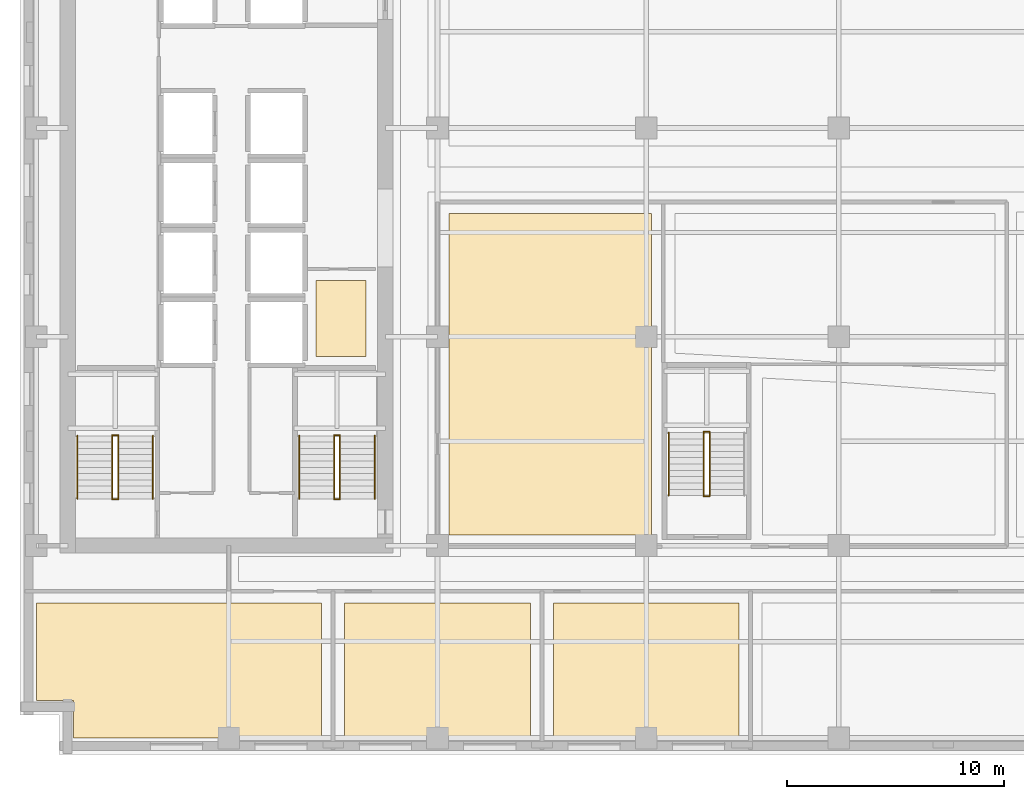
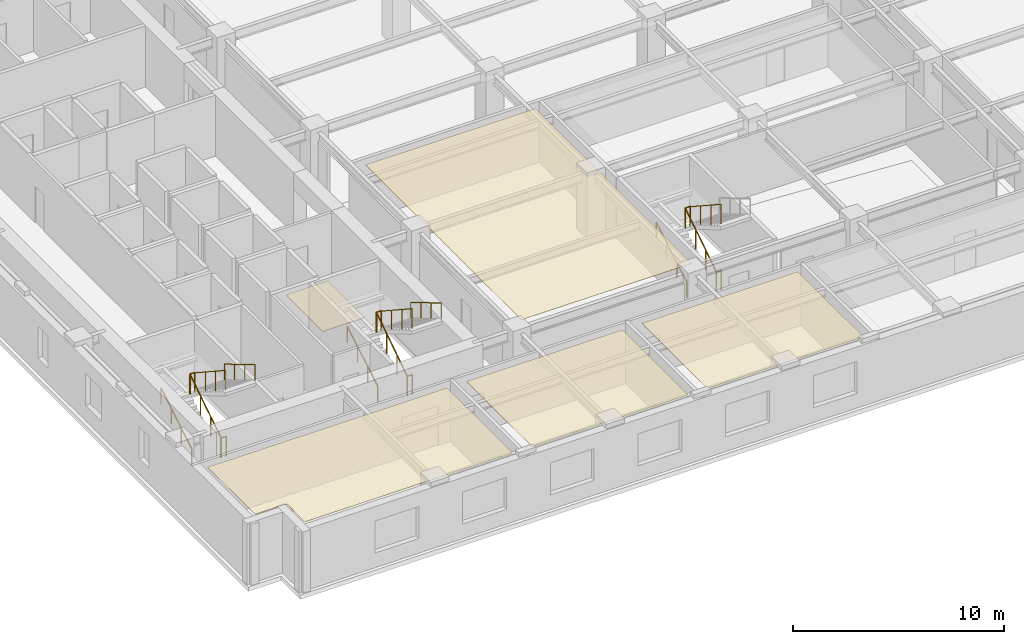
# One storey, part 7 of 11: 17 railings, 5 coverings.
"""IFC4 building model written with IfcOpenShell, lengths in metres."""

from ifc_helpers import new_model, si_unit, direction, frame, origin, origin_2d, place, context, subcontext, project, spatial, polyline, circle, outline, extrude, material, layer, layer_set, type_object, element, save


model = new_model("IFC4")

# Units and contexts
model_context = context("Model", 3, precision=1e-05, world=origin(), true_north=direction((0.0, 1.0)))
body_context = subcontext(model_context, "Body", "Model", "MODEL_VIEW")
ifc_project = project(units=[si_unit("LENGTHUNIT", "METRE"), si_unit("AREAUNIT", "SQUARE_METRE"), si_unit("VOLUMEUNIT", "CUBIC_METRE"), si_unit("PLANEANGLEUNIT", "RADIAN"), si_unit("MASSUNIT", "GRAM", prefix="KILO")], contexts=[model_context])

# Site, building, storey
site_placement = place(None, origin())
site = spatial("IfcSite", under=ifc_project, at=site_placement, CompositionType="ELEMENT")
building_placement = place(site_placement, origin())
building = spatial("IfcBuilding", under=site, at=building_placement, Name="Norrvale University Quadrangle", CompositionType="ELEMENT")
storey_placement = place(building_placement, frame((0.0, 0.0, 124.199951171875)))
storey = spatial("IfcBuildingStorey", under=building, at=storey_placement, Name="L31", CompositionType="ELEMENT", Elevation=124.199951171875)

# Coverings
ifc_material_1 = material(Name="Perforated Acoustic Mineral Ceiling")
ifc_layer_1 = layer(ifc_material_1, 0.02490234375, Name="Perforated Acoustic Mineral Ceiling")
ifc_layer_set_1 = layer_set([ifc_layer_1], Name="Perforated Acoustic Mineral Ceiling")
covering_type_1 = type_object("IfcCoveringType", Name="Covering Acoustic Ceiling 25", PredefinedType="CEILING", material=ifc_layer_set_1)
covering_1_placement = place(storey_placement, frame((0.0, 0.0, 3.51513671875)))
element("IfcCovering", 1, at=covering_1_placement, inside=storey, type_object=covering_type_1, Name="Acoustic Ceiling RM-L31-S01", PredefinedType="CEILING", context=body_context, shape_type="SweptSolid", body=[
    extrude(outline(polyline([(0.75, 6.969970703125), (13.8701171875, 6.969970703125), (13.8701171875, 0.75), (2.469970703125, 0.75), (2.469970703125, 2.469970703125), (0.75, 2.469970703125), (0.75, 6.969970703125)])), origin(), (0.0, 0.0, 1.0), 0.02490234375),
])
covering_2_placement = place(storey_placement, frame((0.0, 0.0, 3.51513671875)))
element("IfcCovering", 2, at=covering_2_placement, inside=storey, type_object=covering_type_1, Name="Acoustic Ceiling RM-L31-S02", PredefinedType="CEILING", context=body_context, shape_type="SweptSolid", body=[
    extrude(outline(polyline([(14.929931640625, 6.969970703125), (23.469970703125, 6.969970703125), (23.469970703125, 0.75), (14.929931640625, 0.75), (14.929931640625, 6.969970703125)])), origin(), (0.0, 0.0, 1.0), 0.02490234375),
])
covering_3_placement = place(storey_placement, frame((0.0, 0.0, 3.51513671875)))
element("IfcCovering", 3, at=covering_3_placement, inside=storey, type_object=covering_type_1, Name="Acoustic Ceiling RM-L31-S03", PredefinedType="CEILING", context=body_context, shape_type="SweptSolid", body=[
    extrude(outline(polyline([(24.530029296875, 6.969970703125), (33.070068359375, 6.969970703125), (33.070068359375, 0.75), (24.530029296875, 0.75), (24.530029296875, 6.969970703125)])), origin(), (0.0, 0.0, 1.0), 0.02490234375),
])
covering_4_placement = place(storey_placement, frame((0.0, 0.0, 3.51513671875)))
element("IfcCovering", 4, at=covering_4_placement, inside=storey, type_object=covering_type_1, Name="Acoustic Ceiling RM-L31-IW1", PredefinedType="CEILING", context=body_context, shape_type="SweptSolid", body=[
    extrude(outline(polyline([(19.72998046875, 10.080078125), (19.72998046875, 24.8701171875), (29.050048828125, 24.8701171875), (29.050048828125, 10.080078125), (19.72998046875, 10.080078125)])), origin(), (0.0, 0.0, 1.0), 0.02490234375),
])
ifc_material_2 = material(Name="Polished Terrazzo Flooring")
ifc_layer_2 = layer(ifc_material_2, 0.02490234375, Name="Polished Terrazzo Flooring")
ifc_layer_set_2 = layer_set([ifc_layer_2], Name="Polished Terrazzo Flooring")
covering_type_2 = type_object("IfcCoveringType", Name="Covering Terrazzo Floor 30", PredefinedType="FLOORING", material=ifc_layer_set_2)
covering_5_placement = place(storey_placement, origin())
element("IfcCovering", 5, at=covering_5_placement, inside=storey, type_object=covering_type_2, Name="Terrazzo Flooring RM-L31-JAN", PredefinedType="FLOORING", context=body_context, shape_type="SweptSolid", body=[
    extrude(outline(polyline([(13.60009765625, 18.300048828125), (13.60009765625, 21.800048828125), (15.89990234375, 21.800048828125), (15.89990234375, 18.300048828125), (13.60009765625, 18.300048828125)])), origin(), (0.0, 0.0, 1.0), 0.025146484375),
])

# Railings
ifc_material_3 = material(Name="Steel 350W Painted Balustrade", Category="steel")
railing_type_1 = type_object("IfcRailingType", Name="Railing Stair Guard 1100", PredefinedType="GUARDRAIL", material=ifc_material_3)
for number, where, name in (
    (6, (4.239990234375, 11.719970703125, 0.0), "Stair Floor Well Guard ST-01 L31"),
    (7, (4.239990234375, 14.679931640625, 1.900146484375), "Stair Mid-Landing Slot Guard ST-01 L31"),
):
    element("IfcRailing", number, at=place(storey_placement, frame(where)), inside=storey, type_object=railing_type_1, Name=name, PredefinedType="GUARDRAIL", context=body_context, shape_type="SweptSolid", body=[
        extrude(circle(Radius=0.02392578125, at=origin_2d()), frame((0.0, 0.0, 1.1259765625), z_axis=(1.0, 0.0, 0.0), x_axis=(0.0, 1.0, 0.0)), (0.0, 0.0, 1.0), 0.27001953125),
        extrude(circle(Radius=0.02099609375, at=origin_2d()), origin(), (0.0, 0.0, 1.0), 1.101806640625),
        extrude(circle(Radius=0.02099609375, at=origin_2d()), frame((0.27001953125, 0.0, 0.0)), (0.0, 0.0, 1.0), 1.101806640625),
    ])
railing_1_placement = place(storey_placement, frame((4.239990234375, 11.75, 0.0)))
element("IfcRailing", 8, at=railing_1_placement, inside=storey, type_object=railing_type_1, Name="Stair Lower Flight Inner Guard ST-01 L31", PredefinedType="GUARDRAIL", context=body_context, shape_type="SweptSolid", body=[
    extrude(circle(Radius=0.02392578125, at=origin_2d()), frame((0.0, 0.0, 1.1259765625), z_axis=(0.0, 0.836433300813, 0.548068730445), x_axis=(-1.0, 0.0, 0.0)), (0.0, 0.0, 1.0), 3.467041015625),
    extrude(circle(Radius=0.02099609375, at=origin_2d()), origin(), (0.0, 0.0, 1.0), 1.101806640625),
    extrude(circle(Radius=0.02099609375, at=origin_2d()), frame((0.0, 0.966552734375, 0.63330078125)), (0.0, 0.0, 1.0), 1.101806640625),
    extrude(circle(Radius=0.02099609375, at=origin_2d()), frame((0.0, 1.933349609375, 1.266845703125)), (0.0, 0.0, 1.0), 1.101806640625),
    extrude(circle(Radius=0.02099609375, at=origin_2d()), frame((0.0, 2.89990234375, 1.900146484375)), (0.0, 0.0, 1.0), 1.101806640625),
])
railing_2_placement = place(storey_placement, frame((4.510009765625, 14.64990234375, 1.900146484375)))
element("IfcRailing", 9, at=railing_2_placement, inside=storey, type_object=railing_type_1, Name="Stair Upper Flight Inner Guard ST-01 L31", PredefinedType="GUARDRAIL", context=body_context, shape_type="SweptSolid", body=[
    extrude(circle(Radius=0.02392578125, at=origin_2d()), frame((0.0, 0.0, 1.1259765625), z_axis=(0.0, -0.836465582154, 0.548019461216), x_axis=(1.0, 0.0, 0.0)), (0.0, 0.0, 1.0), 3.466796875),
    extrude(circle(Radius=0.02099609375, at=origin_2d()), origin(), (0.0, 0.0, 1.0), 1.101806640625),
    extrude(circle(Radius=0.02099609375, at=origin_2d()), frame((0.0, -0.966552734375, 0.63330078125)), (0.0, 0.0, 1.0), 1.101806640625),
    extrude(circle(Radius=0.02099609375, at=origin_2d()), frame((0.0, -1.933349609375, 1.2666015625)), (0.0, 0.0, 1.0), 1.101806640625),
    extrude(circle(Radius=0.02099609375, at=origin_2d()), frame((0.0, -2.89990234375, 1.89990234375)), (0.0, 0.0, 1.0), 1.101806640625),
])
for number, where, name in (
    (10, (14.43994140625, 11.719970703125, 0.0), "Stair Floor Well Guard ST-03 L31"),
    (11, (14.43994140625, 14.679931640625, 1.900146484375), "Stair Mid-Landing Slot Guard ST-03 L31"),
):
    element("IfcRailing", number, at=place(storey_placement, frame(where)), inside=storey, type_object=railing_type_1, Name=name, PredefinedType="GUARDRAIL", context=body_context, shape_type="SweptSolid", body=[
        extrude(circle(Radius=0.02392578125, at=origin_2d()), frame((0.0, 0.0, 1.1259765625), z_axis=(1.0, 0.0, 0.0), x_axis=(0.0, 1.0, 0.0)), (0.0, 0.0, 1.0), 0.27001953125),
        extrude(circle(Radius=0.02099609375, at=origin_2d()), origin(), (0.0, 0.0, 1.0), 1.101806640625),
        extrude(circle(Radius=0.02099609375, at=origin_2d()), frame((0.27001953125, 0.0, 0.0)), (0.0, 0.0, 1.0), 1.101806640625),
    ])
railing_3_placement = place(storey_placement, frame((14.43994140625, 11.75, 0.0)))
element("IfcRailing", 12, at=railing_3_placement, inside=storey, type_object=railing_type_1, Name="Stair Lower Flight Inner Guard ST-03 L31", PredefinedType="GUARDRAIL", context=body_context, shape_type="SweptSolid", body=[
    extrude(circle(Radius=0.02392578125, at=origin_2d()), frame((0.0, 0.0, 1.1259765625), z_axis=(0.0, 0.836433300813, 0.548068730445), x_axis=(-1.0, 0.0, 0.0)), (0.0, 0.0, 1.0), 3.467041015625),
    extrude(circle(Radius=0.02099609375, at=origin_2d()), origin(), (0.0, 0.0, 1.0), 1.101806640625),
    extrude(circle(Radius=0.02099609375, at=origin_2d()), frame((0.0, 0.966552734375, 0.63330078125)), (0.0, 0.0, 1.0), 1.101806640625),
    extrude(circle(Radius=0.02099609375, at=origin_2d()), frame((0.0, 1.933349609375, 1.266845703125)), (0.0, 0.0, 1.0), 1.101806640625),
    extrude(circle(Radius=0.02099609375, at=origin_2d()), frame((0.0, 2.89990234375, 1.900146484375)), (0.0, 0.0, 1.0), 1.101806640625),
])
railing_4_placement = place(storey_placement, frame((14.7099609375, 14.64990234375, 1.900146484375)))
element("IfcRailing", 13, at=railing_4_placement, inside=storey, type_object=railing_type_1, Name="Stair Upper Flight Inner Guard ST-03 L31", PredefinedType="GUARDRAIL", context=body_context, shape_type="SweptSolid", body=[
    extrude(circle(Radius=0.02392578125, at=origin_2d()), frame((0.0, 0.0, 1.1259765625), z_axis=(0.0, -0.836465582154, 0.548019461216), x_axis=(1.0, 0.0, 0.0)), (0.0, 0.0, 1.0), 3.466796875),
    extrude(circle(Radius=0.02099609375, at=origin_2d()), origin(), (0.0, 0.0, 1.0), 1.101806640625),
    extrude(circle(Radius=0.02099609375, at=origin_2d()), frame((0.0, -0.966552734375, 0.63330078125)), (0.0, 0.0, 1.0), 1.101806640625),
    extrude(circle(Radius=0.02099609375, at=origin_2d()), frame((0.0, -1.933349609375, 1.2666015625)), (0.0, 0.0, 1.0), 1.101806640625),
    extrude(circle(Radius=0.02099609375, at=origin_2d()), frame((0.0, -2.89990234375, 1.89990234375)), (0.0, 0.0, 1.0), 1.101806640625),
])
for number, where, name in (
    (14, (31.43994140625, 11.8701171875, 0.0), "Stair Floor Well Guard ST-04 L31"),
    (15, (31.43994140625, 14.830078125, 1.900146484375), "Stair Mid-Landing Slot Guard ST-04 L31"),
):
    element("IfcRailing", number, at=place(storey_placement, frame(where)), inside=storey, type_object=railing_type_1, Name=name, PredefinedType="GUARDRAIL", context=body_context, shape_type="SweptSolid", body=[
        extrude(circle(Radius=0.02392578125, at=origin_2d()), frame((0.0, 0.0, 1.1259765625), z_axis=(1.0, 0.0, 0.0), x_axis=(0.0, 1.0, 0.0)), (0.0, 0.0, 1.0), 0.27001953125),
        extrude(circle(Radius=0.02099609375, at=origin_2d()), origin(), (0.0, 0.0, 1.0), 1.101806640625),
        extrude(circle(Radius=0.02099609375, at=origin_2d()), frame((0.27001953125, 0.0, 0.0)), (0.0, 0.0, 1.0), 1.101806640625),
    ])
railing_5_placement = place(storey_placement, frame((31.43994140625, 11.89990234375, 0.0)))
element("IfcRailing", 16, at=railing_5_placement, inside=storey, type_object=railing_type_1, Name="Stair Lower Flight Inner Guard ST-04 L31", PredefinedType="GUARDRAIL", context=body_context, shape_type="SweptSolid", body=[
    extrude(circle(Radius=0.02392578125, at=origin_2d()), frame((0.0, 0.0, 1.1259765625), z_axis=(0.0, 0.836454451266, 0.548036450392), x_axis=(-1.0, 0.0, 0.0)), (0.0, 0.0, 1.0), 3.46728515625),
    extrude(circle(Radius=0.02099609375, at=origin_2d()), origin(), (0.0, 0.0, 1.0), 1.101806640625),
    extrude(circle(Radius=0.02099609375, at=origin_2d()), frame((0.0, 0.966796875, 0.63330078125)), (0.0, 0.0, 1.0), 1.101806640625),
    extrude(circle(Radius=0.02099609375, at=origin_2d()), frame((0.0, 1.933349609375, 1.266845703125)), (0.0, 0.0, 1.0), 1.101806640625),
    extrude(circle(Radius=0.02099609375, at=origin_2d()), frame((0.0, 2.900146484375, 1.900146484375)), (0.0, 0.0, 1.0), 1.101806640625),
])
railing_6_placement = place(storey_placement, frame((31.7099609375, 14.800048828125, 1.900146484375)))
element("IfcRailing", 17, at=railing_6_placement, inside=storey, type_object=railing_type_1, Name="Stair Upper Flight Inner Guard ST-04 L31", PredefinedType="GUARDRAIL", context=body_context, shape_type="SweptSolid", body=[
    extrude(circle(Radius=0.02392578125, at=origin_2d()), frame((0.0, 0.0, 1.1259765625), z_axis=(0.0, -0.836486729621, 0.547987181573), x_axis=(1.0, 0.0, 0.0)), (0.0, 0.0, 1.0), 3.467041015625),
    extrude(circle(Radius=0.02099609375, at=origin_2d()), origin(), (0.0, 0.0, 1.0), 1.101806640625),
    extrude(circle(Radius=0.02099609375, at=origin_2d()), frame((0.0, -0.966796875, 0.63330078125)), (0.0, 0.0, 1.0), 1.101806640625),
    extrude(circle(Radius=0.02099609375, at=origin_2d()), frame((0.0, -1.933349609375, 1.2666015625)), (0.0, 0.0, 1.0), 1.101806640625),
    extrude(circle(Radius=0.02099609375, at=origin_2d()), frame((0.0, -2.900146484375, 1.89990234375)), (0.0, 0.0, 1.0), 1.101806640625),
])
ifc_material_4 = material(Name="Stainless Steel 316L Handrail", Category="steel")
railing_type_2 = type_object("IfcRailingType", Name="Railing Stair Handrail 920", PredefinedType="HANDRAIL", material=ifc_material_4)
railing_7_placement = place(storey_placement, frame((2.639892578125, 11.75, 0.1728515625)))
element("IfcRailing", 18, at=railing_7_placement, inside=storey, type_object=railing_type_2, Name="Stair Lower Flight Handrail ST-01 L31", PredefinedType="HANDRAIL", context=body_context, shape_type="SweptSolid", body=[
    extrude(circle(Radius=0.02392578125, at=origin_2d()), frame((0.0, 0.0, 0.89599609375), z_axis=(0.0, 0.859141464434, 0.511738159696), x_axis=(-1.0, 0.0, 0.0)), (0.0, 0.0, 1.0), 3.375244140625),
    extrude(circle(Radius=0.02099609375, at=origin_2d()), origin(), (0.0, 0.0, 1.0), 0.871826171875),
    extrude(circle(Radius=0.02099609375, at=origin_2d()), frame((0.0, 0.966552734375, 0.57568359375)), (0.0, 0.0, 1.0), 0.871826171875),
    extrude(circle(Radius=0.02099609375, at=origin_2d()), frame((0.0, 1.933349609375, 1.151611328125)), (0.0, 0.0, 1.0), 0.871826171875),
    extrude(circle(Radius=0.02099609375, at=origin_2d()), frame((0.0, 2.89990234375, 1.727294921875)), (0.0, 0.0, 1.0), 0.871826171875),
])
railing_8_placement = place(storey_placement, frame((6.110107421875, 14.64990234375, 2.07275390625)))
element("IfcRailing", 19, at=railing_8_placement, inside=storey, type_object=railing_type_2, Name="Stair Upper Flight Handrail ST-01 L31", PredefinedType="HANDRAIL", context=body_context, shape_type="SweptSolid", body=[
    extrude(circle(Radius=0.02392578125, at=origin_2d()), frame((0.0, 0.0, 0.89599609375), z_axis=(0.0, -0.859141464434, 0.511738159696), x_axis=(1.0, 0.0, 0.0)), (0.0, 0.0, 1.0), 3.375244140625),
    extrude(circle(Radius=0.02099609375, at=origin_2d()), origin(), (0.0, 0.0, 1.0), 0.871826171875),
    extrude(circle(Radius=0.02099609375, at=origin_2d()), frame((0.0, -0.966552734375, 0.57568359375)), (0.0, 0.0, 1.0), 0.871826171875),
    extrude(circle(Radius=0.02099609375, at=origin_2d()), frame((0.0, -1.933349609375, 1.151611328125)), (0.0, 0.0, 1.0), 0.871826171875),
    extrude(circle(Radius=0.02099609375, at=origin_2d()), frame((0.0, -2.89990234375, 1.727294921875)), (0.0, 0.0, 1.0), 0.871826171875),
])
railing_9_placement = place(storey_placement, frame((12.840087890625, 11.75, 0.1728515625)))
element("IfcRailing", 20, at=railing_9_placement, inside=storey, type_object=railing_type_2, Name="Stair Lower Flight Handrail ST-03 L31", PredefinedType="HANDRAIL", context=body_context, shape_type="SweptSolid", body=[
    extrude(circle(Radius=0.02392578125, at=origin_2d()), frame((0.0, 0.0, 0.89599609375), z_axis=(0.0, 0.859141464434, 0.511738159696), x_axis=(-1.0, 0.0, 0.0)), (0.0, 0.0, 1.0), 3.375244140625),
    extrude(circle(Radius=0.02099609375, at=origin_2d()), origin(), (0.0, 0.0, 1.0), 0.871826171875),
    extrude(circle(Radius=0.02099609375, at=origin_2d()), frame((0.0, 0.966552734375, 0.57568359375)), (0.0, 0.0, 1.0), 0.871826171875),
    extrude(circle(Radius=0.02099609375, at=origin_2d()), frame((0.0, 1.933349609375, 1.151611328125)), (0.0, 0.0, 1.0), 0.871826171875),
    extrude(circle(Radius=0.02099609375, at=origin_2d()), frame((0.0, 2.89990234375, 1.727294921875)), (0.0, 0.0, 1.0), 0.871826171875),
])
railing_10_placement = place(storey_placement, frame((16.31005859375, 14.64990234375, 2.07275390625)))
element("IfcRailing", 21, at=railing_10_placement, inside=storey, type_object=railing_type_2, Name="Stair Upper Flight Handrail ST-03 L31", PredefinedType="HANDRAIL", context=body_context, shape_type="SweptSolid", body=[
    extrude(circle(Radius=0.02392578125, at=origin_2d()), frame((0.0, 0.0, 0.89599609375), z_axis=(0.0, -0.859141464434, 0.511738159696), x_axis=(1.0, 0.0, 0.0)), (0.0, 0.0, 1.0), 3.375244140625),
    extrude(circle(Radius=0.02099609375, at=origin_2d()), origin(), (0.0, 0.0, 1.0), 0.871826171875),
    extrude(circle(Radius=0.02099609375, at=origin_2d()), frame((0.0, -0.966552734375, 0.57568359375)), (0.0, 0.0, 1.0), 0.871826171875),
    extrude(circle(Radius=0.02099609375, at=origin_2d()), frame((0.0, -1.933349609375, 1.151611328125)), (0.0, 0.0, 1.0), 0.871826171875),
    extrude(circle(Radius=0.02099609375, at=origin_2d()), frame((0.0, -2.89990234375, 1.727294921875)), (0.0, 0.0, 1.0), 0.871826171875),
])
railing_11_placement = place(storey_placement, frame((29.840087890625, 11.89990234375, 0.1728515625)))
element("IfcRailing", 22, at=railing_11_placement, inside=storey, type_object=railing_type_2, Name="Stair Lower Flight Handrail ST-04 L31", PredefinedType="HANDRAIL", context=body_context, shape_type="SweptSolid", body=[
    extrude(circle(Radius=0.02392578125, at=origin_2d()), frame((0.0, 0.0, 0.89599609375), z_axis=(0.0, 0.859160404282, 0.51170636083), x_axis=(-1.0, 0.0, 0.0)), (0.0, 0.0, 1.0), 3.37548828125),
    extrude(circle(Radius=0.02099609375, at=origin_2d()), origin(), (0.0, 0.0, 1.0), 0.871826171875),
    extrude(circle(Radius=0.02099609375, at=origin_2d()), frame((0.0, 0.966796875, 0.57568359375)), (0.0, 0.0, 1.0), 0.871826171875),
    extrude(circle(Radius=0.02099609375, at=origin_2d()), frame((0.0, 1.933349609375, 1.151611328125)), (0.0, 0.0, 1.0), 0.871826171875),
    extrude(circle(Radius=0.02099609375, at=origin_2d()), frame((0.0, 2.900146484375, 1.727294921875)), (0.0, 0.0, 1.0), 0.871826171875),
])

save(model, "model.ifc")
